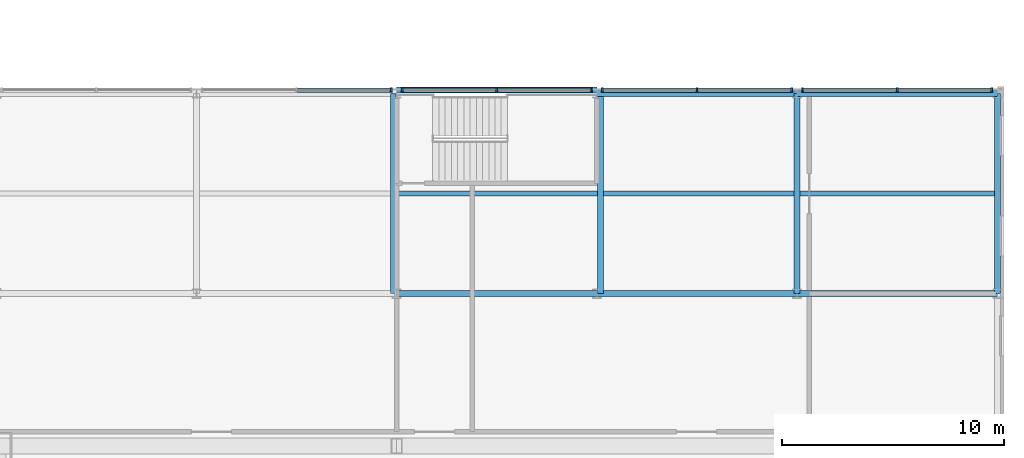
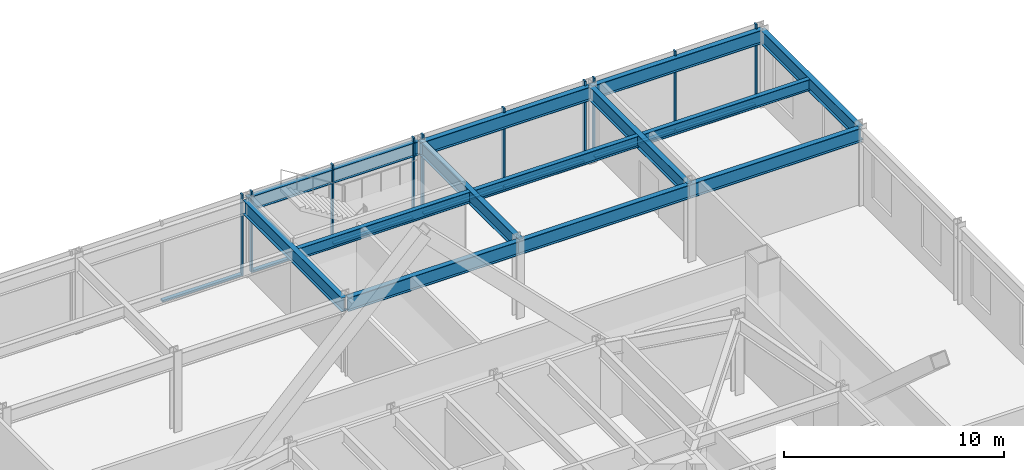
# One storey, part 17 of 32: 17 members, 13 beams, 4 elements without a shape of their own.
"""IFC4 building model written with IfcOpenShell, lengths in metres."""

from ifc_helpers import new_model, si_unit, direction, frame, origin, origin_2d, place, context, subcontext, project, spatial, rectangle, i_section, extrude, material, material_profile, profile_set, type_object, element, aggregate, save


model = new_model("IFC4")

# Units and contexts
model_context = context("Model", 3, precision=1e-05, world=origin(), true_north=direction((0.0, 1.0)))
body_context = subcontext(model_context, "Body", "Model", "MODEL_VIEW")
ifc_project = project(units=[si_unit("LENGTHUNIT", "METRE"), si_unit("AREAUNIT", "SQUARE_METRE"), si_unit("VOLUMEUNIT", "CUBIC_METRE"), si_unit("PLANEANGLEUNIT", "RADIAN"), si_unit("MASSUNIT", "GRAM", prefix="KILO")], contexts=[model_context])

# Site, building, storey
site_placement = place(None, origin())
site = spatial("IfcSite", under=ifc_project, at=site_placement, CompositionType="ELEMENT")
building_placement = place(site_placement, origin())
building = spatial("IfcBuilding", under=site, at=building_placement, Name="Iwan Alto Co-Living Towers", CompositionType="ELEMENT")
storey_placement = place(building_placement, frame((0.0, 0.0, 6.0)))
storey = spatial("IfcBuildingStorey", under=building, at=storey_placement, Name="L01", CompositionType="ELEMENT", Elevation=6.0)

# Curtain wall, member
ifc_material_1 = material(Name="Bronze aluminium stick frame", Category="aluminium")
curtain_wall_type = type_object("IfcCurtainWallType", Name="CURTAIN WALL CW-E", PredefinedType="NOTDEFINED", material=ifc_material_1)
curtain_wall_1_placement = place(storey_placement, origin())
curtain_wall_1 = element("IfcCurtainWall", 1, at=curtain_wall_1_placement, inside=storey, type_object=curtain_wall_type, Name="Podium curtain wall N L01", PredefinedType="NOTDEFINED")
ifc_material_2 = material(Name="Aluminium 6063-T6 bronze anodised", Category="aluminium")
ifc_material_profile_1 = material_profile(ifc_material_2, rectangle(XDim=0.199951171875, YDim=0.080078125, at=origin_2d()), Name="AL 80X200")
ifc_profile_set_1 = profile_set([ifc_material_profile_1], Name="Aluminium 6063-T6 bronze anodised")
member_type_1 = type_object("IfcMemberType", Name="CW-E MULLION 80X200", PredefinedType="MULLION", material=ifc_profile_set_1)
member_1_placement = place(storey_placement, frame((62.754150390625, 36.14990234375, 0.0), z_axis=(0.0, 0.0, 1.0), x_axis=(0.0, -1.0, 0.0)))
member_1 = element("IfcMember", 2, at=member_1_placement, type_object=member_type_1, Name="CW-E mullion 1", PredefinedType="MULLION", context=body_context, shape_type="SweptSolid", body=[
    extrude(rectangle(XDim=0.199951171875, YDim=0.080078125, at=origin_2d()), origin(), (0.0, 0.0, 1.0), 4.5),
])

# Curtain wall, members
curtain_wall_2_placement = place(storey_placement, origin())
curtain_wall_2 = element("IfcCurtainWall", 3, at=curtain_wall_2_placement, inside=storey, type_object=curtain_wall_type, Name="Podium curtain wall N L01", PredefinedType="NOTDEFINED")
member_2_placement = place(storey_placement, frame((71.754150390625, 36.14990234375, 0.0), z_axis=(0.0, 0.0, 1.0), x_axis=(0.0, -1.0, 0.0)))
member_2 = element("IfcMember", 4, at=member_2_placement, type_object=member_type_1, Name="CW-E mullion 1", PredefinedType="MULLION", context=body_context, shape_type="SweptSolid", body=[
    extrude(rectangle(XDim=0.199951171875, YDim=0.080078125, at=origin_2d()), origin(), (0.0, 0.0, 1.0), 4.5),
])
member_3_placement = place(storey_placement, frame((67.5, 36.14990234375, 0.0), z_axis=(0.0, 0.0, 1.0), x_axis=(0.0, -1.0, 0.0)))
member_3 = element("IfcMember", 5, at=member_3_placement, type_object=member_type_1, Name="CW-E mullion 2", PredefinedType="MULLION", context=body_context, shape_type="SweptSolid", body=[
    extrude(rectangle(XDim=0.199951171875, YDim=0.080078125, at=origin_2d()), origin(), (0.0, 0.0, 1.0), 4.5),
])
member_4_placement = place(storey_placement, frame((63.245849609375, 36.14990234375, 0.0), z_axis=(0.0, 0.0, 1.0), x_axis=(0.0, -1.0, 0.0)))
member_4 = element("IfcMember", 6, at=member_4_placement, type_object=member_type_1, Name="CW-E mullion 3", PredefinedType="MULLION", context=body_context, shape_type="SweptSolid", body=[
    extrude(rectangle(XDim=0.199951171875, YDim=0.080078125, at=origin_2d()), origin(), (0.0, 0.0, 1.0), 4.5),
])

curtain_wall_3_placement = place(storey_placement, origin())
curtain_wall_3 = element("IfcCurtainWall", 7, at=curtain_wall_3_placement, inside=storey, type_object=curtain_wall_type, Name="Podium curtain wall N L01", PredefinedType="NOTDEFINED")
member_5_placement = place(storey_placement, frame((80.754150390625, 36.14990234375, 0.0), z_axis=(0.0, 0.0, 1.0), x_axis=(0.0, -1.0, 0.0)))
member_5 = element("IfcMember", 8, at=member_5_placement, type_object=member_type_1, Name="CW-E mullion 1", PredefinedType="MULLION", context=body_context, shape_type="SweptSolid", body=[
    extrude(rectangle(XDim=0.199951171875, YDim=0.080078125, at=origin_2d()), origin(), (0.0, 0.0, 1.0), 4.5),
])
member_6_placement = place(storey_placement, frame((76.5, 36.14990234375, 0.0), z_axis=(0.0, 0.0, 1.0), x_axis=(0.0, -1.0, 0.0)))
member_6 = element("IfcMember", 9, at=member_6_placement, type_object=member_type_1, Name="CW-E mullion 2", PredefinedType="MULLION", context=body_context, shape_type="SweptSolid", body=[
    extrude(rectangle(XDim=0.199951171875, YDim=0.080078125, at=origin_2d()), origin(), (0.0, 0.0, 1.0), 4.5),
])
member_7_placement = place(storey_placement, frame((72.245849609375, 36.14990234375, 0.0), z_axis=(0.0, 0.0, 1.0), x_axis=(0.0, -1.0, 0.0)))
member_7 = element("IfcMember", 10, at=member_7_placement, type_object=member_type_1, Name="CW-E mullion 3", PredefinedType="MULLION", context=body_context, shape_type="SweptSolid", body=[
    extrude(rectangle(XDim=0.199951171875, YDim=0.080078125, at=origin_2d()), origin(), (0.0, 0.0, 1.0), 4.5),
])

curtain_wall_4_placement = place(storey_placement, origin())
curtain_wall_4 = element("IfcCurtainWall", 11, at=curtain_wall_4_placement, inside=storey, type_object=curtain_wall_type, Name="Podium curtain wall N L01", PredefinedType="NOTDEFINED")
member_8_placement = place(storey_placement, frame((89.754150390625, 36.14990234375, 0.0), z_axis=(0.0, 0.0, 1.0), x_axis=(0.0, -1.0, 0.0)))
member_8 = element("IfcMember", 12, at=member_8_placement, type_object=member_type_1, Name="CW-E mullion 1", PredefinedType="MULLION", context=body_context, shape_type="SweptSolid", body=[
    extrude(rectangle(XDim=0.199951171875, YDim=0.080078125, at=origin_2d()), origin(), (0.0, 0.0, 1.0), 4.5),
])
member_9_placement = place(storey_placement, frame((85.5, 36.14990234375, 0.0), z_axis=(0.0, 0.0, 1.0), x_axis=(0.0, -1.0, 0.0)))
member_9 = element("IfcMember", 13, at=member_9_placement, type_object=member_type_1, Name="CW-E mullion 2", PredefinedType="MULLION", context=body_context, shape_type="SweptSolid", body=[
    extrude(rectangle(XDim=0.199951171875, YDim=0.080078125, at=origin_2d()), origin(), (0.0, 0.0, 1.0), 4.5),
])
member_10_placement = place(storey_placement, frame((81.245849609375, 36.14990234375, 0.0), z_axis=(0.0, 0.0, 1.0), x_axis=(0.0, -1.0, 0.0)))
member_10 = element("IfcMember", 14, at=member_10_placement, type_object=member_type_1, Name="CW-E mullion 3", PredefinedType="MULLION", context=body_context, shape_type="SweptSolid", body=[
    extrude(rectangle(XDim=0.199951171875, YDim=0.080078125, at=origin_2d()), origin(), (0.0, 0.0, 1.0), 4.5),
])

# Member
ifc_material_3 = material(Name="Aluminium 6063-T6 bronze anodised", Category="aluminium")
ifc_material_profile_2 = material_profile(ifc_material_3, rectangle(XDim=0.199951171875, YDim=0.10009765625, at=origin_2d()), Name="AL 200X100")
ifc_profile_set_2 = profile_set([ifc_material_profile_2], Name="Aluminium 6063-T6 bronze anodised")
member_type_2 = type_object("IfcMemberType", Name="CW-E TRANSOM 200X100", PredefinedType="USERDEFINED", material=ifc_profile_set_2)
member_11_placement = place(storey_placement, frame((62.71435546875, 36.14990234375, 0.050048828125), z_axis=(-1.0, 0.0, 0.0), x_axis=(0.0, -1.0, 0.0)))
member_11 = element("IfcMember", 15, at=member_11_placement, type_object=member_type_2, Name="CW-E transom 1.1", ObjectType="TRANSOM", PredefinedType="USERDEFINED", context=body_context, shape_type="SweptSolid", body=[
    extrude(rectangle(XDim=0.199951171875, YDim=0.10009765625, at=origin_2d()), origin(), (0.0, 0.0, 1.0), 4.17431640625),
])

aggregate(curtain_wall_1, [member_1, member_11])

member_12_placement = place(storey_placement, frame((71.71435546875, 36.14990234375, 0.050048828125), z_axis=(-1.0, 0.0, 0.0), x_axis=(0.0, -1.0, 0.0)))
member_12 = element("IfcMember", 16, at=member_12_placement, type_object=member_type_2, Name="CW-E transom 1.1", ObjectType="TRANSOM", PredefinedType="USERDEFINED", context=body_context, shape_type="SweptSolid", body=[
    extrude(rectangle(XDim=0.199951171875, YDim=0.10009765625, at=origin_2d()), origin(), (0.0, 0.0, 1.0), 4.17431640625),
])

member_13_placement = place(storey_placement, frame((67.4599609375, 36.14990234375, 0.050048828125), z_axis=(-1.0, 0.0, 0.0), x_axis=(0.0, -1.0, 0.0)))
member_13 = element("IfcMember", 17, at=member_13_placement, type_object=member_type_2, Name="CW-E transom 2.1", ObjectType="TRANSOM", PredefinedType="USERDEFINED", context=body_context, shape_type="SweptSolid", body=[
    extrude(rectangle(XDim=0.199951171875, YDim=0.10009765625, at=origin_2d()), origin(), (0.0, 0.0, 1.0), 4.17431640625),
])

aggregate(curtain_wall_2, [member_2, member_3, member_4, member_12, member_13])

member_14_placement = place(storey_placement, frame((80.71435546875, 36.14990234375, 0.050048828125), z_axis=(-1.0, 0.0, 0.0), x_axis=(0.0, -1.0, 0.0)))
member_14 = element("IfcMember", 18, at=member_14_placement, type_object=member_type_2, Name="CW-E transom 1.1", ObjectType="TRANSOM", PredefinedType="USERDEFINED", context=body_context, shape_type="SweptSolid", body=[
    extrude(rectangle(XDim=0.199951171875, YDim=0.10009765625, at=origin_2d()), origin(), (0.0, 0.0, 1.0), 4.17431640625),
])

member_15_placement = place(storey_placement, frame((76.4599609375, 36.14990234375, 0.050048828125), z_axis=(-1.0, 0.0, 0.0), x_axis=(0.0, -1.0, 0.0)))
member_15 = element("IfcMember", 19, at=member_15_placement, type_object=member_type_2, Name="CW-E transom 2.1", ObjectType="TRANSOM", PredefinedType="USERDEFINED", context=body_context, shape_type="SweptSolid", body=[
    extrude(rectangle(XDim=0.199951171875, YDim=0.10009765625, at=origin_2d()), origin(), (0.0, 0.0, 1.0), 4.17431640625),
])

aggregate(curtain_wall_3, [member_5, member_6, member_7, member_14, member_15])

member_16_placement = place(storey_placement, frame((89.71435546875, 36.14990234375, 0.050048828125), z_axis=(-1.0, 0.0, 0.0), x_axis=(0.0, -1.0, 0.0)))
member_16 = element("IfcMember", 20, at=member_16_placement, type_object=member_type_2, Name="CW-E transom 1.1", ObjectType="TRANSOM", PredefinedType="USERDEFINED", context=body_context, shape_type="SweptSolid", body=[
    extrude(rectangle(XDim=0.199951171875, YDim=0.10009765625, at=origin_2d()), origin(), (0.0, 0.0, 1.0), 4.17431640625),
])

member_17_placement = place(storey_placement, frame((85.4599609375, 36.14990234375, 0.050048828125), z_axis=(-1.0, 0.0, 0.0), x_axis=(0.0, -1.0, 0.0)))
member_17 = element("IfcMember", 21, at=member_17_placement, type_object=member_type_2, Name="CW-E transom 2.1", ObjectType="TRANSOM", PredefinedType="USERDEFINED", context=body_context, shape_type="SweptSolid", body=[
    extrude(rectangle(XDim=0.199951171875, YDim=0.10009765625, at=origin_2d()), origin(), (0.0, 0.0, 1.0), 4.17431640625),
])

aggregate(curtain_wall_4, [member_8, member_9, member_10, member_16, member_17])

# Beams
ifc_material_4 = material(Name="Steel ASTM A992 Gr 50", Category="steel")
ifc_material_profile_3 = material_profile(ifc_material_4, i_section(OverallWidth=0.2666015625, OverallDepth=0.76953125, WebThickness=0.015625, FlangeThickness=0.025390625, at=origin_2d()), Name="W30X132")
ifc_profile_set_3 = profile_set([ifc_material_profile_3], Name="Steel ASTM A992 Gr 50")
beam_type_1 = type_object("IfcBeamType", Name="PODIUM BEAM W30X132", PredefinedType="BEAM", material=ifc_profile_set_3)
for number, where, z_axis, x_axis, name in (
    (22, (63.0, 27.0, 3.865234375), (1.0, 0.0, 0.0), (0.0, 1.0, 0.0), "Podium beam 12/H-13/H L02"),
    (23, (62.8466796875, 27.0, 3.865234375), (0.0, 1.0, 0.0), (-1.0, 0.0, 0.0), "Podium beam 12/H-12/I L02"),
    (24, (63.0, 36.1533203125, 3.865234375), (1.0, 0.0, 0.0), (0.0, 1.0, 0.0), "Podium beam 12/I-13/I L02"),
    (25, (72.0, 27.0, 3.865234375), (1.0, 0.0, 0.0), (0.0, 1.0, 0.0), "Podium beam 13/H-14/H L02"),
    (26, (72.1533203125, 27.0, 3.865234375), (0.0, 1.0, 0.0), (-1.0, 0.0, 0.0), "Podium beam 13/H-13/I L02"),
    (27, (72.0, 36.0, 3.865234375), (1.0, 0.0, 0.0), (0.0, 1.0, 0.0), "Podium beam 13/I-14/I L02"),
    (28, (81.0, 27.0, 3.865234375), (1.0, 0.0, 0.0), (0.0, 1.0, 0.0), "Podium beam 14/H-15/H L02"),
    (29, (81.0, 27.0, 3.865234375), (0.0, 1.0, 0.0), (-1.0, 0.0, 0.0), "Podium beam 14/H-14/I L02"),
    (30, (81.0, 36.0, 3.865234375), (1.0, 0.0, 0.0), (0.0, 1.0, 0.0), "Podium beam 14/I-15/I L02"),
    (31, (90.0, 27.0, 3.865234375), (0.0, 1.0, 0.0), (-1.0, 0.0, 0.0), "Podium beam 15/H-15/I L02"),
):
    element("IfcBeam", number, at=place(storey_placement, frame(where, z_axis=z_axis, x_axis=x_axis)), inside=storey, type_object=beam_type_1, Name=name, PredefinedType="BEAM", context=body_context, shape_type="SweptSolid", body=[
        extrude(i_section(OverallWidth=0.2666015625, OverallDepth=0.76953125, WebThickness=0.015625, FlangeThickness=0.025390625, at=origin_2d()), origin(), (0.0, 0.0, 1.0), 9.0),
    ])
ifc_material_5 = material(Name="Steel ASTM A992 Gr 50", Category="steel")
ifc_material_profile_4 = material_profile(ifc_material_5, i_section(OverallWidth=0.23046875, OverallDepth=0.6171875, WebThickness=0.01318359375, FlangeThickness=0.022216796875, at=origin_2d()), Name="W24X94")
ifc_profile_set_4 = profile_set([ifc_material_profile_4], Name="Steel ASTM A992 Gr 50")
beam_type_2 = type_object("IfcBeamType", Name="PODIUM SECONDARY BEAM W24X94", PredefinedType="JOIST", material=ifc_profile_set_4)
beam_1_placement = place(storey_placement, frame((62.97998046875, 31.5, 3.94140625), z_axis=(1.0, 0.0, 0.0), x_axis=(0.0, 1.0, 0.0)))
element("IfcBeam", 32, at=beam_1_placement, inside=storey, type_object=beam_type_2, Name="Podium secondary beam 12/H L02", PredefinedType="JOIST", context=body_context, shape_type="SweptSolid", body=[
    extrude(i_section(OverallWidth=0.23046875, OverallDepth=0.6171875, WebThickness=0.01318359375, FlangeThickness=0.022216796875, at=origin_2d()), origin(), (0.0, 0.0, 1.0), 9.0400390625),
])
beam_2_placement = place(storey_placement, frame((72.28662109375, 31.5, 3.94140625), z_axis=(1.0, 0.0, 0.0), x_axis=(0.0, 1.0, 0.0)))
element("IfcBeam", 33, at=beam_2_placement, inside=storey, type_object=beam_type_2, Name="Podium secondary beam 13/H L02", PredefinedType="JOIST", context=body_context, shape_type="SweptSolid", body=[
    extrude(i_section(OverallWidth=0.23046875, OverallDepth=0.6171875, WebThickness=0.01318359375, FlangeThickness=0.022216796875, at=origin_2d()), origin(), (0.0, 0.0, 1.0), 8.580078125),
])
beam_3_placement = place(storey_placement, frame((81.13330078125, 31.5, 3.94140625), z_axis=(1.0, 0.0, 0.0), x_axis=(0.0, 1.0, 0.0)))
element("IfcBeam", 34, at=beam_3_placement, inside=storey, type_object=beam_type_2, Name="Podium secondary beam 14/H L02", PredefinedType="JOIST", context=body_context, shape_type="SweptSolid", body=[
    extrude(i_section(OverallWidth=0.23046875, OverallDepth=0.6171875, WebThickness=0.01318359375, FlangeThickness=0.022216796875, at=origin_2d()), origin(), (0.0, 0.0, 1.0), 8.7333984375),
])

save(model, "model.ifc")
